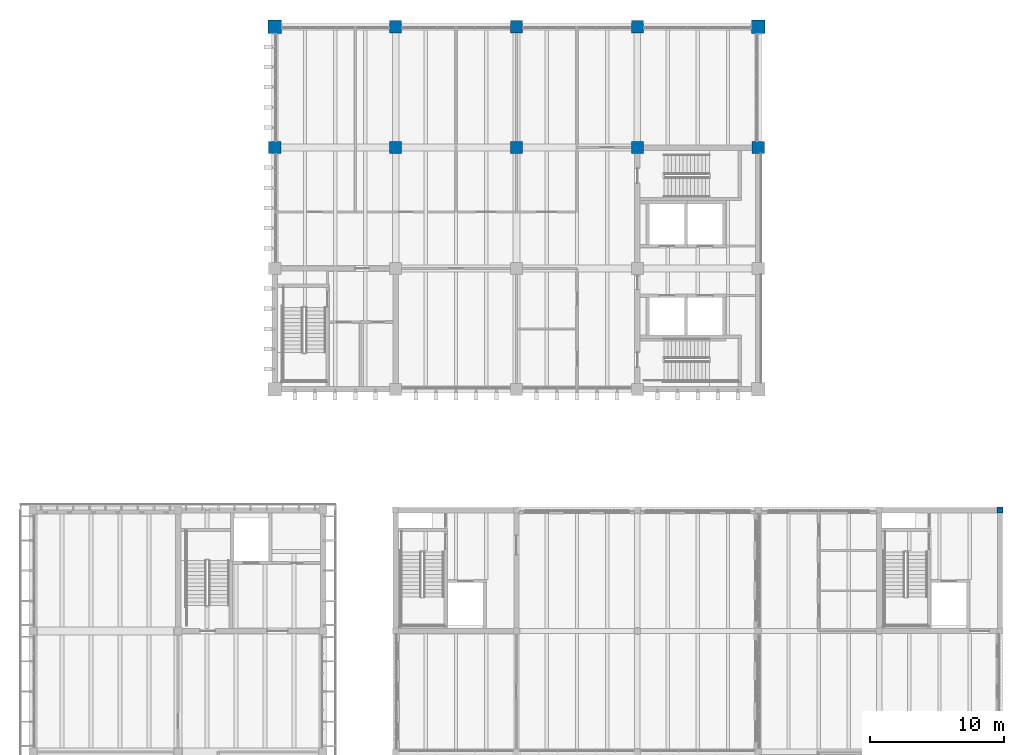
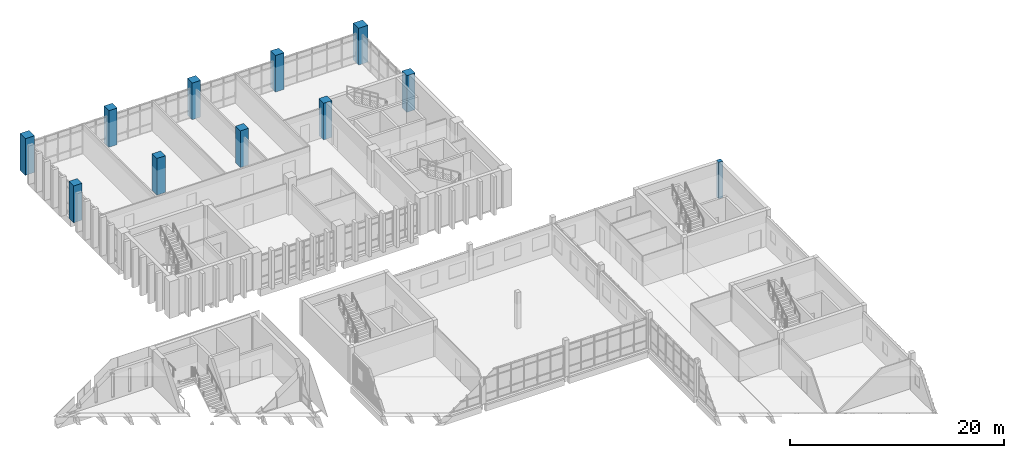
# One storey, part 2 of 88: 11 columns.
"""IFC4 building model written with IfcOpenShell, lengths in metres."""

from ifc_helpers import new_model, si_unit, direction, frame, origin, origin_2d, place, context, subcontext, project, spatial, rectangle, extrude, material, material_profile, profile_set, type_object, element, save


model = new_model("IFC4")

# Units and contexts
model_context = context("Model", 3, precision=1e-05, world=origin(), true_north=direction((0.0, 1.0)))
body_context = subcontext(model_context, "Body", "Model", "MODEL_VIEW")
ifc_project = project(units=[si_unit("LENGTHUNIT", "METRE"), si_unit("AREAUNIT", "SQUARE_METRE"), si_unit("VOLUMEUNIT", "CUBIC_METRE"), si_unit("PLANEANGLEUNIT", "RADIAN"), si_unit("MASSUNIT", "GRAM", prefix="KILO")], contexts=[model_context])

# Site, building, storey
site_placement = place(None, origin())
site = spatial("IfcSite", under=ifc_project, at=site_placement, CompositionType="ELEMENT")
building_placement = place(site_placement, origin())
building = spatial("IfcBuilding", under=site, at=building_placement, Name="Merrow Basin Faculty of Sciences", CompositionType="ELEMENT")
storey_placement = place(building_placement, frame((0.0, 0.0, 9.0)))
storey = spatial("IfcBuildingStorey", under=building, at=storey_placement, Name="L02", CompositionType="ELEMENT", Elevation=9.0)

# Columns
ifc_material_1 = material(Name="Concrete C50/60", Category="concrete")
ifc_material_profile_1 = material_profile(ifc_material_1, rectangle(XDim=1.0, YDim=1.0, at=origin_2d()))
ifc_profile_set_1 = profile_set([ifc_material_profile_1], Name="Concrete C50/60")
column_type_1 = type_object("IfcColumnType", Name="Column RC1000x1000 C50/60", PredefinedType="COLUMN", material=ifc_profile_set_1)
for number, where, z_axis, x_axis, name in (
    (1, (18.0, 169.0, 0.0), (0.0, 0.0, 1.0), (1.0, 0.0, 0.0), "Column S16 L02"),
    (2, (54.0, 169.0, 0.0), (0.0, 0.0, 1.0), (1.0, 0.0, 0.0), "Column G16 L02"),
):
    element("IfcColumn", number, at=place(storey_placement, frame(where, z_axis=z_axis, x_axis=x_axis)), inside=storey, type_object=column_type_1, Name=name, PredefinedType="COLUMN", context=body_context, shape_type="SweptSolid", body=[
        extrude(rectangle(XDim=1.0, YDim=1.0, at=origin_2d()), origin(), (0.0, 0.0, 1.0), 4.199951171875),
    ])
ifc_material_2 = material(Name="Concrete C40/50", Category="concrete")
ifc_material_profile_2 = material_profile(ifc_material_2, rectangle(XDim=0.449951171875, YDim=0.449951171875, at=origin_2d()))
ifc_profile_set_2 = profile_set([ifc_material_profile_2], Name="Concrete C40/50")
column_type_2 = type_object("IfcColumnType", Name="Column RC450x450 C40/50", PredefinedType="COLUMN", material=ifc_profile_set_2)
column_placement = place(storey_placement, frame((72.0, 133.0, 0.0), z_axis=(0.0, 0.0, 1.0), x_axis=(1.0, 0.0, 0.0)))
element("IfcColumn", 3, at=column_placement, inside=storey, type_object=column_type_2, Name="Column J9 L02", PredefinedType="COLUMN", context=body_context, shape_type="SweptSolid", body=[
    extrude(rectangle(XDim=0.449951171875, YDim=0.449951171875, at=origin_2d()), origin(), (0.0, 0.0, 1.0), 4.14990234375),
])
ifc_material_3 = material(Name="Concrete C50/60", Category="concrete")
ifc_material_profile_3 = material_profile(ifc_material_3, rectangle(XDim=0.89990234375, YDim=0.89990234375, at=origin_2d()))
ifc_profile_set_3 = profile_set([ifc_material_profile_3], Name="Concrete C50/60")
column_type_3 = type_object("IfcColumnType", Name="Column RC900x900 C50/60", PredefinedType="COLUMN", material=ifc_profile_set_3)
for number, where, z_axis, x_axis, name in (
    (4, (18.0, 160.0, 0.0), (0.0, 0.0, 1.0), (1.0, 0.0, 0.0), "Column S15 L02"),
    (5, (27.0, 160.0, 0.0), (0.0, 0.0, 1.0), (1.0, 0.0, 0.0), "Column D15 L02"),
    (6, (27.0, 169.0, 0.0), (0.0, 0.0, 1.0), (1.0, 0.0, 0.0), "Column D16 L02"),
    (7, (36.0, 160.0, 0.0), (0.0, 0.0, 1.0), (1.0, 0.0, 0.0), "Column E15 L02"),
    (8, (36.0, 169.0, 0.0), (0.0, 0.0, 1.0), (1.0, 0.0, 0.0), "Column E16 L02"),
    (9, (45.0, 160.0, 0.0), (0.0, 0.0, 1.0), (1.0, 0.0, 0.0), "Column F15 L02"),
    (10, (45.0, 169.0, 0.0), (0.0, 0.0, 1.0), (1.0, 0.0, 0.0), "Column F16 L02"),
    (11, (54.0, 160.0, 0.0), (0.0, 0.0, 1.0), (1.0, 0.0, 0.0), "Column G15 L02"),
):
    element("IfcColumn", number, at=place(storey_placement, frame(where, z_axis=z_axis, x_axis=x_axis)), inside=storey, type_object=column_type_3, Name=name, PredefinedType="COLUMN", context=body_context, shape_type="SweptSolid", body=[
        extrude(rectangle(XDim=0.89990234375, YDim=0.89990234375, at=origin_2d()), origin(), (0.0, 0.0, 1.0), 4.199951171875),
    ])

save(model, "model.ifc")
